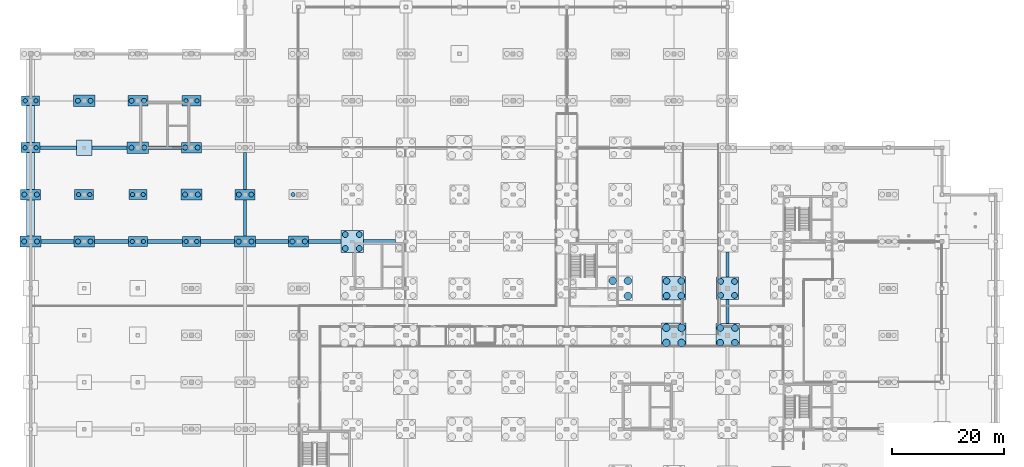
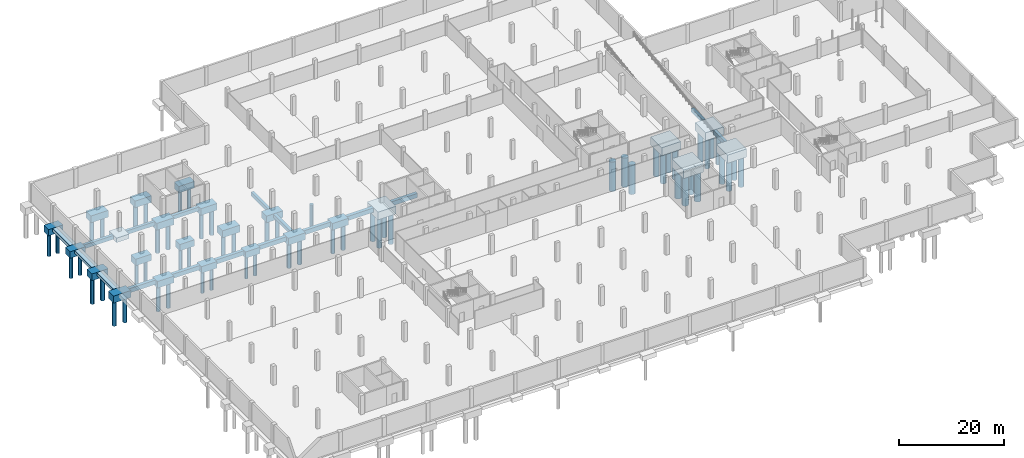
# One storey, part 5 of 26: 60 piles, 41 footings.
"""IFC4 building model written with IfcOpenShell, lengths in metres."""

from ifc_helpers import new_model, si_unit, direction, frame, origin, origin_2d, place, context, subcontext, project, spatial, rectangle, circle, extrude, material, layer, layer_set, material_profile, profile_set, type_object, element, save


model = new_model("IFC4")

# Units and contexts
model_context = context("Model", 3, precision=1e-05, world=origin(), true_north=direction((0.0, 1.0)))
body_context = subcontext(model_context, "Body", "Model", "MODEL_VIEW")
ifc_project = project(units=[si_unit("LENGTHUNIT", "METRE"), si_unit("AREAUNIT", "SQUARE_METRE"), si_unit("VOLUMEUNIT", "CUBIC_METRE"), si_unit("PLANEANGLEUNIT", "RADIAN"), si_unit("MASSUNIT", "GRAM", prefix="KILO")], contexts=[model_context])

# Site, building, storey
site_placement = place(None, origin())
site = spatial("IfcSite", under=ifc_project, at=site_placement, CompositionType="ELEMENT")
building_placement = place(site_placement, origin())
building = spatial("IfcBuilding", under=site, at=building_placement, Name="Lornevale Opera House", CompositionType="ELEMENT")
storey_placement = place(building_placement, frame((0.0, 0.0, -9.60009765625)))
storey = spatial("IfcBuildingStorey", under=building, at=storey_placement, Name="B2", CompositionType="ELEMENT", Elevation=-9.60009765625)

# Footings
ifc_material_1 = material(Name="Concrete 35 MPa (CSA A23.1 N)", Category="concrete")
ifc_layer_1 = layer(ifc_material_1, 1.800048828125)
ifc_layer_set_1 = layer_set([ifc_layer_1], Name="Concrete 35 MPa (CSA A23.1 N)")
footing_type_1 = type_object("IfcFootingType", Name="Four-Caisson Cap 4000x4000x1800", PredefinedType="PILE_CAP", material=ifc_layer_set_1)
for number, where, z_axis, x_axis, name in (
    (1, (57.60009765625, 67.199951171875, -2.259765625), (0.0, 0.0, 1.0), (1.0, 0.0, 0.0), "Four-Caisson Cap 4000x4000x1800 FT-091"),
    (2, (124.800048828125, 58.800048828125, -2.259765625), (0.0, 0.0, 1.0), (1.0, 0.0, 0.0), "Four-Caisson Cap 4000x4000x1800 FT-195"),
):
    element("IfcFooting", number, at=place(storey_placement, frame(where, z_axis=z_axis, x_axis=x_axis)), inside=storey, type_object=footing_type_1, Name=name, PredefinedType="PILE_CAP", context=body_context, shape_type="SweptSolid", body=[
        extrude(rectangle(XDim=4.0, YDim=4.0, at=origin_2d()), origin(), (0.0, 0.0, 1.0), 1.800048828125),
    ])
ifc_layer_2 = layer(ifc_material_1, 1.89990234375)
ifc_layer_set_2 = layer_set([ifc_layer_2], Name="Concrete 35 MPa (CSA A23.1 N)")
footing_type_2 = type_object("IfcFootingType", Name="Four-Caisson Cap 4200x4200x1900", PredefinedType="PILE_CAP", material=ifc_layer_set_2)
for number, where, z_axis, x_axis, name in (
    (3, (115.199951171875, 58.800048828125, -2.35986328125), (0.0, 0.0, 1.0), (1.0, 0.0, 0.0), "Four-Caisson Cap 4200x4200x1900 FT-180"),
    (4, (124.800048828125, 50.39990234375, -2.35986328125), (0.0, 0.0, 1.0), (1.0, 0.0, 0.0), "Four-Caisson Cap 4200x4200x1900 FT-194"),
):
    element("IfcFooting", number, at=place(storey_placement, frame(where, z_axis=z_axis, x_axis=x_axis)), inside=storey, type_object=footing_type_2, Name=name, PredefinedType="PILE_CAP", context=body_context, shape_type="SweptSolid", body=[
        extrude(rectangle(XDim=4.199951171875, YDim=4.199951171875, at=origin_2d()), origin(), (0.0, 0.0, 1.0), 1.89990234375),
    ])
ifc_layer_3 = layer(ifc_material_1, 2.0)
ifc_layer_set_3 = layer_set([ifc_layer_3], Name="Concrete 35 MPa (CSA A23.1 N)")
footing_type_3 = type_object("IfcFootingType", Name="Four-Caisson Cap 4400x4400x2000", PredefinedType="PILE_CAP", material=ifc_layer_set_3)
footing_1_placement = place(storey_placement, frame((115.199951171875, 50.39990234375, -2.4599609375), z_axis=(0.0, 0.0, 1.0), x_axis=(1.0, 0.0, 0.0)))
element("IfcFooting", 5, at=footing_1_placement, inside=storey, type_object=footing_type_3, Name="Four-Caisson Cap 4400x4400x2000 FT-179", PredefinedType="PILE_CAP", context=body_context, shape_type="SweptSolid", body=[
    extrude(rectangle(XDim=4.39990234375, YDim=4.39990234375, at=origin_2d()), origin(), (0.0, 0.0, 1.0), 2.0),
])
ifc_layer_4 = layer(ifc_material_1, 0.89990234375)
ifc_layer_set_4 = layer_set([ifc_layer_4], Name="Concrete 35 MPa (CSA A23.1 N)")
footing_type_4 = type_object("IfcFootingType", Name="Grade Tie Beam EW 600x900", PredefinedType="FOOTING_BEAM", material=ifc_layer_set_4)
footing_2_placement = place(storey_placement, frame((4.949951171875, 84.0, -1.35986328125), z_axis=(0.0, 0.0, 1.0), x_axis=(1.0, 0.0, 0.0)))
element("IfcFooting", 6, at=footing_2_placement, inside=storey, type_object=footing_type_4, Name="Grade Tie Beam EW 600x900 FT-252", PredefinedType="FOOTING_BEAM", context=body_context, shape_type="SweptSolid", body=[
    extrude(rectangle(XDim=6.5, YDim=0.60009765625, at=origin_2d()), origin(), (0.0, 0.0, 1.0), 0.89990234375),
])
footing_3_placement = place(storey_placement, frame((14.14990234375, 84.0, -1.35986328125), z_axis=(0.0, 0.0, 1.0), x_axis=(1.0, 0.0, 0.0)))
element("IfcFooting", 7, at=footing_3_placement, inside=storey, type_object=footing_type_4, Name="Grade Tie Beam EW 600x900 FT-256", PredefinedType="FOOTING_BEAM", context=body_context, shape_type="SweptSolid", body=[
    extrude(rectangle(XDim=6.300048828125, YDim=0.60009765625, at=origin_2d()), origin(), (0.0, 0.0, 1.0), 0.89990234375),
])
footing_4_placement = place(storey_placement, frame((24.050048828125, 84.0, -1.35986328125), z_axis=(0.0, 0.0, 1.0), x_axis=(1.0, 0.0, 0.0)))
element("IfcFooting", 8, at=footing_4_placement, inside=storey, type_object=footing_type_4, Name="Grade Tie Beam EW 600x900 FT-260", PredefinedType="FOOTING_BEAM", context=body_context, shape_type="SweptSolid", body=[
    extrude(rectangle(XDim=5.89990234375, YDim=0.60009765625, at=origin_2d()), origin(), (0.0, 0.0, 1.0), 0.89990234375),
])
ifc_layer_5 = layer(ifc_material_1, 1.0)
ifc_layer_set_5 = layer_set([ifc_layer_5], Name="Concrete 35 MPa (CSA A23.1 N)")
footing_type_5 = type_object("IfcFootingType", Name="Grade Tie Beam EW 700x1000", PredefinedType="FOOTING_BEAM", material=ifc_layer_set_5)
footing_5_placement = place(storey_placement, frame((4.85009765625, 67.199951171875, -1.4599609375), z_axis=(0.0, 0.0, 1.0), x_axis=(1.0, 0.0, 0.0)))
element("IfcFooting", 9, at=footing_5_placement, inside=storey, type_object=footing_type_5, Name="Grade Tie Beam EW 700x1000 FT-251", PredefinedType="FOOTING_BEAM", context=body_context, shape_type="SweptSolid", body=[
    extrude(rectangle(XDim=5.89990234375, YDim=0.699951171875, at=origin_2d()), origin(), (0.0, 0.0, 1.0), 1.0),
])
footing_6_placement = place(storey_placement, frame((14.449951171875, 67.199951171875, -1.4599609375), z_axis=(0.0, 0.0, 1.0), x_axis=(1.0, 0.0, 0.0)))
element("IfcFooting", 10, at=footing_6_placement, inside=storey, type_object=footing_type_5, Name="Grade Tie Beam EW 700x1000 FT-255", PredefinedType="FOOTING_BEAM", context=body_context, shape_type="SweptSolid", body=[
    extrude(rectangle(XDim=6.10009765625, YDim=0.699951171875, at=origin_2d()), origin(), (0.0, 0.0, 1.0), 1.0),
])
footing_7_placement = place(storey_placement, frame((24.050048828125, 67.199951171875, -1.4599609375), z_axis=(0.0, 0.0, 1.0), x_axis=(1.0, 0.0, 0.0)))
element("IfcFooting", 11, at=footing_7_placement, inside=storey, type_object=footing_type_5, Name="Grade Tie Beam EW 700x1000 FT-259", PredefinedType="FOOTING_BEAM", context=body_context, shape_type="SweptSolid", body=[
    extrude(rectangle(XDim=6.300048828125, YDim=0.699951171875, at=origin_2d()), origin(), (0.0, 0.0, 1.0), 1.0),
])
footing_8_placement = place(storey_placement, frame((33.449951171875, 67.199951171875, -1.4599609375), z_axis=(0.0, 0.0, 1.0), x_axis=(1.0, 0.0, 0.0)))
element("IfcFooting", 12, at=footing_8_placement, inside=storey, type_object=footing_type_5, Name="Grade Tie Beam EW 700x1000 FT-263", PredefinedType="FOOTING_BEAM", context=body_context, shape_type="SweptSolid", body=[
    extrude(rectangle(XDim=6.10009765625, YDim=0.699951171875, at=origin_2d()), origin(), (0.0, 0.0, 1.0), 1.0),
])
footing_9_placement = place(storey_placement, frame((43.25, 67.199951171875, -1.4599609375), z_axis=(0.0, 0.0, 1.0), x_axis=(1.0, 0.0, 0.0)))
element("IfcFooting", 13, at=footing_9_placement, inside=storey, type_object=footing_type_5, Name="Grade Tie Beam EW 700x1000 FT-267", PredefinedType="FOOTING_BEAM", context=body_context, shape_type="SweptSolid", body=[
    extrude(rectangle(XDim=5.89990234375, YDim=0.699951171875, at=origin_2d()), origin(), (0.0, 0.0, 1.0), 1.0),
])
footing_10_placement = place(storey_placement, frame((52.699951171875, 67.199951171875, -1.4599609375), z_axis=(0.0, 0.0, 1.0), x_axis=(1.0, 0.0, 0.0)))
element("IfcFooting", 14, at=footing_10_placement, inside=storey, type_object=footing_type_5, Name="Grade Tie Beam EW 700x1000 FT-272", PredefinedType="FOOTING_BEAM", context=body_context, shape_type="SweptSolid", body=[
    extrude(rectangle(XDim=5.800048828125, YDim=0.699951171875, at=origin_2d()), origin(), (0.0, 0.0, 1.0), 1.0),
])
footing_11_placement = place(storey_placement, frame((62.449951171875, 67.199951171875, -1.4599609375), z_axis=(0.0, 0.0, 1.0), x_axis=(1.0, 0.0, 0.0)))
element("IfcFooting", 15, at=footing_11_placement, inside=storey, type_object=footing_type_5, Name="Grade Tie Beam EW 700x1000 FT-277", PredefinedType="FOOTING_BEAM", context=body_context, shape_type="SweptSolid", body=[
    extrude(rectangle(XDim=5.699951171875, YDim=0.699951171875, at=origin_2d()), origin(), (0.0, 0.0, 1.0), 1.0),
])
ifc_layer_6 = layer(ifc_material_1, 0.89990234375)
ifc_layer_set_6 = layer_set([ifc_layer_6], Name="Concrete 35 MPa (CSA A23.1 N)")
footing_type_6 = type_object("IfcFootingType", Name="Grade Tie Beam NS 600x900", PredefinedType="FOOTING_BEAM", material=ifc_layer_set_6)
footing_12_placement = place(storey_placement, frame((38.39990234375, 71.425048828125, -1.35986328125), z_axis=(0.0, 0.0, 1.0), x_axis=(1.0, 0.0, 0.0)))
element("IfcFooting", 16, at=footing_12_placement, inside=storey, type_object=footing_type_6, Name="Grade Tie Beam NS 600x900 FT-344", PredefinedType="FOOTING_BEAM", context=body_context, shape_type="SweptSolid", body=[
    extrude(rectangle(XDim=0.60009765625, YDim=6.449951171875, at=origin_2d()), origin(), (0.0, 0.0, 1.0), 0.89990234375),
])
footing_13_placement = place(storey_placement, frame((38.39990234375, 79.824951171875, -1.35986328125), z_axis=(0.0, 0.0, 1.0), x_axis=(1.0, 0.0, 0.0)))
element("IfcFooting", 17, at=footing_13_placement, inside=storey, type_object=footing_type_6, Name="Grade Tie Beam NS 600x900 FT-345", PredefinedType="FOOTING_BEAM", context=body_context, shape_type="SweptSolid", body=[
    extrude(rectangle(XDim=0.60009765625, YDim=6.550048828125, at=origin_2d()), origin(), (0.0, 0.0, 1.0), 0.89990234375),
])
footing_14_placement = place(storey_placement, frame((124.800048828125, 54.64990234375, -1.35986328125), z_axis=(0.0, 0.0, 1.0), x_axis=(1.0, 0.0, 0.0)))
element("IfcFooting", 18, at=footing_14_placement, inside=storey, type_object=footing_type_6, Name="Grade Tie Beam NS 600x900 FT-384", PredefinedType="FOOTING_BEAM", context=body_context, shape_type="SweptSolid", body=[
    extrude(rectangle(XDim=0.60009765625, YDim=4.300048828125, at=origin_2d()), origin(), (0.0, 0.0, 1.0), 0.89990234375),
])
footing_15_placement = place(storey_placement, frame((124.800048828125, 63.050048828125, -1.35986328125), z_axis=(0.0, 0.0, 1.0), x_axis=(1.0, 0.0, 0.0)))
element("IfcFooting", 19, at=footing_15_placement, inside=storey, type_object=footing_type_6, Name="Grade Tie Beam NS 600x900 FT-385", PredefinedType="FOOTING_BEAM", context=body_context, shape_type="SweptSolid", body=[
    extrude(rectangle(XDim=0.60009765625, YDim=4.5, at=origin_2d()), origin(), (0.0, 0.0, 1.0), 0.89990234375),
])
ifc_layer_7 = layer(ifc_material_1, 0.75)
ifc_layer_set_7 = layer_set([ifc_layer_7], Name="Concrete 35 MPa (CSA A23.1 N)")
footing_type_7 = type_object("IfcFootingType", Name="Perimeter Strip Footing NS 1400x750", PredefinedType="STRIP_FOOTING", material=ifc_layer_set_7)
footing_16_placement = place(storey_placement, frame((0.0, 71.425048828125, -1.2099609375), z_axis=(0.0, 0.0, 1.0), x_axis=(1.0, 0.0, 0.0)))
element("IfcFooting", 20, at=footing_16_placement, inside=storey, type_object=footing_type_7, Name="Perimeter Strip Footing NS 1400x750 FT-332", PredefinedType="STRIP_FOOTING", context=body_context, shape_type="SweptSolid", body=[
    extrude(rectangle(XDim=1.39990234375, YDim=6.449951171875, at=origin_2d()), origin(), (0.0, 0.0, 1.0), 0.75),
])
footing_17_placement = place(storey_placement, frame((0.0, 79.824951171875, -1.2099609375), z_axis=(0.0, 0.0, 1.0), x_axis=(1.0, 0.0, 0.0)))
element("IfcFooting", 21, at=footing_17_placement, inside=storey, type_object=footing_type_7, Name="Perimeter Strip Footing NS 1400x750 FT-333", PredefinedType="STRIP_FOOTING", context=body_context, shape_type="SweptSolid", body=[
    extrude(rectangle(XDim=1.39990234375, YDim=6.550048828125, at=origin_2d()), origin(), (0.0, 0.0, 1.0), 0.75),
])
footing_18_placement = place(storey_placement, frame((0.0, 88.21240234375, -1.2099609375), z_axis=(0.0, 0.0, 1.0), x_axis=(1.0, 0.0, 0.0)))
element("IfcFooting", 22, at=footing_18_placement, inside=storey, type_object=footing_type_7, Name="Perimeter Strip Footing NS 1400x750 FT-334", PredefinedType="STRIP_FOOTING", context=body_context, shape_type="SweptSolid", body=[
    extrude(rectangle(XDim=1.39990234375, YDim=6.625, at=origin_2d()), origin(), (0.0, 0.0, 1.0), 0.75),
])

# Piles
ifc_material_2 = material(Name="Concrete 40 MPa (CSA A23.1 C-1)", Category="concrete")
ifc_material_profile_1 = material_profile(ifc_material_2, circle(Radius=0.52490234375, at=origin_2d()), Name="CAIS1050")
ifc_profile_set_1 = profile_set([ifc_material_profile_1], Name="Concrete 40 MPa (CSA A23.1 C-1)")
pile_type_1 = type_object("IfcPileType", Name="Rock-Socketed Caisson D1050", PredefinedType="BORED", material=ifc_profile_set_1)
for number, where, z_axis, x_axis, name in (
    (23, (56.35009765625, 65.949951171875, -2.139892578125), (0.0, 0.0, -1.0), (1.0, 0.0, 0.0), "Rock-Socketed Caisson D1050 0156"),
    (24, (58.85009765625, 65.949951171875, -2.139892578125), (0.0, 0.0, -1.0), (1.0, 0.0, 0.0), "Rock-Socketed Caisson D1050 0157"),
    (25, (56.35009765625, 68.449951171875, -2.139892578125), (0.0, 0.0, -1.0), (1.0, 0.0, 0.0), "Rock-Socketed Caisson D1050 0158"),
    (26, (58.85009765625, 68.449951171875, -2.139892578125), (0.0, 0.0, -1.0), (1.0, 0.0, 0.0), "Rock-Socketed Caisson D1050 0159"),
    (27, (123.550048828125, 57.550048828125, -2.139892578125), (0.0, 0.0, -1.0), (1.0, 0.0, 0.0), "Rock-Socketed Caisson D1050 0426"),
    (28, (126.050048828125, 57.550048828125, -2.139892578125), (0.0, 0.0, -1.0), (1.0, 0.0, 0.0), "Rock-Socketed Caisson D1050 0427"),
    (29, (123.550048828125, 60.050048828125, -2.139892578125), (0.0, 0.0, -1.0), (1.0, 0.0, 0.0), "Rock-Socketed Caisson D1050 0428"),
    (30, (126.050048828125, 60.050048828125, -2.139892578125), (0.0, 0.0, -1.0), (1.0, 0.0, 0.0), "Rock-Socketed Caisson D1050 0429"),
):
    element("IfcPile", number, at=place(storey_placement, frame(where, z_axis=z_axis, x_axis=x_axis)), inside=storey, type_object=pile_type_1, Name=name, PredefinedType="BORED", context=body_context, shape_type="SweptSolid", body=[
        extrude(circle(Radius=0.52490234375, at=origin_2d()), origin(), (0.0, 0.0, 1.0), 7.06005859375),
    ])
ifc_material_profile_2 = material_profile(ifc_material_2, circle(Radius=0.60009765625, at=origin_2d()), Name="CAIS1200")
ifc_profile_set_2 = profile_set([ifc_material_profile_2], Name="Concrete 40 MPa (CSA A23.1 C-1)")
pile_type_2 = type_object("IfcPileType", Name="Rock-Socketed Caisson D1200", PredefinedType="BORED", material=ifc_profile_set_2)
for number, where, z_axis, x_axis, name in (
    (31, (113.8798828125, 57.47998046875, -2.239990234375), (0.0, 0.0, -1.0), (1.0, 0.0, 0.0), "Rock-Socketed Caisson D1200 0387"),
    (32, (116.52001953125, 57.47998046875, -2.239990234375), (0.0, 0.0, -1.0), (1.0, 0.0, 0.0), "Rock-Socketed Caisson D1200 0388"),
    (33, (113.8798828125, 60.1201171875, -2.239990234375), (0.0, 0.0, -1.0), (1.0, 0.0, 0.0), "Rock-Socketed Caisson D1200 0389"),
    (34, (116.52001953125, 60.1201171875, -2.239990234375), (0.0, 0.0, -1.0), (1.0, 0.0, 0.0), "Rock-Socketed Caisson D1200 0390"),
    (35, (123.47998046875, 49.080078125, -2.239990234375), (0.0, 0.0, -1.0), (1.0, 0.0, 0.0), "Rock-Socketed Caisson D1200 0422"),
    (36, (126.1201171875, 49.080078125, -2.239990234375), (0.0, 0.0, -1.0), (1.0, 0.0, 0.0), "Rock-Socketed Caisson D1200 0423"),
    (37, (123.47998046875, 51.719970703125, -2.239990234375), (0.0, 0.0, -1.0), (1.0, 0.0, 0.0), "Rock-Socketed Caisson D1200 0424"),
    (38, (126.1201171875, 51.719970703125, -2.239990234375), (0.0, 0.0, -1.0), (1.0, 0.0, 0.0), "Rock-Socketed Caisson D1200 0425"),
):
    element("IfcPile", number, at=place(storey_placement, frame(where, z_axis=z_axis, x_axis=x_axis)), inside=storey, type_object=pile_type_2, Name=name, PredefinedType="BORED", context=body_context, shape_type="SweptSolid", body=[
        extrude(circle(Radius=0.60009765625, at=origin_2d()), origin(), (0.0, 0.0, 1.0), 6.9599609375),
    ])
ifc_material_profile_3 = material_profile(ifc_material_2, circle(Radius=0.675048828125, at=origin_2d()), Name="CAIS1350")
ifc_profile_set_3 = profile_set([ifc_material_profile_3], Name="Concrete 40 MPa (CSA A23.1 C-1)")
pile_type_3 = type_object("IfcPileType", Name="Rock-Socketed Caisson D1350", PredefinedType="BORED", material=ifc_profile_set_3)
for number, where, z_axis, x_axis, name in (
    (39, (106.9599609375, 57.43994140625, -2.33984375), (0.0, 0.0, -1.0), (1.0, 0.0, 0.0), "Rock-Socketed Caisson D1350 0348"),
    (40, (104.239990234375, 60.159912109375, -2.33984375), (0.0, 0.0, -1.0), (1.0, 0.0, 0.0), "Rock-Socketed Caisson D1350 0349"),
    (41, (106.9599609375, 60.159912109375, -2.33984375), (0.0, 0.0, -1.0), (1.0, 0.0, 0.0), "Rock-Socketed Caisson D1350 0350"),
    (42, (113.840087890625, 49.0400390625, -2.33984375), (0.0, 0.0, -1.0), (1.0, 0.0, 0.0), "Rock-Socketed Caisson D1350 0383"),
    (43, (116.56005859375, 49.0400390625, -2.33984375), (0.0, 0.0, -1.0), (1.0, 0.0, 0.0), "Rock-Socketed Caisson D1350 0384"),
    (44, (113.840087890625, 51.760009765625, -2.33984375), (0.0, 0.0, -1.0), (1.0, 0.0, 0.0), "Rock-Socketed Caisson D1350 0385"),
    (45, (116.56005859375, 51.760009765625, -2.33984375), (0.0, 0.0, -1.0), (1.0, 0.0, 0.0), "Rock-Socketed Caisson D1350 0386"),
):
    element("IfcPile", number, at=place(storey_placement, frame(where, z_axis=z_axis, x_axis=x_axis)), inside=storey, type_object=pile_type_3, Name=name, PredefinedType="BORED", context=body_context, shape_type="SweptSolid", body=[
        extrude(circle(Radius=0.675048828125, at=origin_2d()), origin(), (0.0, 0.0, 1.0), 6.860107421875),
    ])
ifc_material_profile_4 = material_profile(ifc_material_2, circle(Radius=0.375, at=origin_2d()), Name="CAIS750")
ifc_profile_set_4 = profile_set([ifc_material_profile_4], Name="Concrete 40 MPa (CSA A23.1 C-1)")
pile_type_4 = type_object("IfcPileType", Name="Rock-Socketed Caisson D750", PredefinedType="BORED", material=ifc_profile_set_4)
for number, where, z_axis, x_axis, name in (
    (46, (-1.0, 84.0, -1.83984375), (0.0, 0.0, -1.0), (1.0, 0.0, 0.0), "Rock-Socketed Caisson D750 0015"),
    (47, (1.0, 84.0, -1.83984375), (0.0, 0.0, -1.0), (1.0, 0.0, 0.0), "Rock-Socketed Caisson D750 0016"),
):
    element("IfcPile", number, at=place(storey_placement, frame(where, z_axis=z_axis, x_axis=x_axis)), inside=storey, type_object=pile_type_4, Name=name, PredefinedType="BORED", context=body_context, shape_type="SweptSolid", body=[
        extrude(circle(Radius=0.375, at=origin_2d()), origin(), (0.0, 0.0, 1.0), 5.360107421875),
    ])
for number, where, z_axis, x_axis, name in (
    (48, (-0.9599609375, 92.39990234375, -1.789794921875), (0.0, 0.0, -1.0), (1.0, 0.0, 0.0), "Rock-Socketed Caisson D750 0017"),
    (49, (0.9599609375, 92.39990234375, -1.789794921875), (0.0, 0.0, -1.0), (1.0, 0.0, 0.0), "Rock-Socketed Caisson D750 0018"),
):
    element("IfcPile", number, at=place(storey_placement, frame(where, z_axis=z_axis, x_axis=x_axis)), inside=storey, type_object=pile_type_4, Name=name, PredefinedType="BORED", context=body_context, shape_type="SweptSolid", body=[
        extrude(circle(Radius=0.375, at=origin_2d()), origin(), (0.0, 0.0, 1.0), 5.409912109375),
    ])
for number, where, z_axis, x_axis, name in (
    (50, (8.60009765625, 75.60009765625, -1.83984375), (0.0, 0.0, -1.0), (1.0, 0.0, 0.0), "Rock-Socketed Caisson D750 0032"),
    (51, (10.60009765625, 75.60009765625, -1.83984375), (0.0, 0.0, -1.0), (1.0, 0.0, 0.0), "Rock-Socketed Caisson D750 0033"),
    (52, (18.199951171875, 67.199951171875, -1.83984375), (0.0, 0.0, -1.0), (1.0, 0.0, 0.0), "Rock-Socketed Caisson D750 0048"),
    (53, (20.199951171875, 67.199951171875, -1.83984375), (0.0, 0.0, -1.0), (1.0, 0.0, 0.0), "Rock-Socketed Caisson D750 0049"),
):
    element("IfcPile", number, at=place(storey_placement, frame(where, z_axis=z_axis, x_axis=x_axis)), inside=storey, type_object=pile_type_4, Name=name, PredefinedType="BORED", context=body_context, shape_type="SweptSolid", body=[
        extrude(circle(Radius=0.375, at=origin_2d()), origin(), (0.0, 0.0, 1.0), 5.360107421875),
    ])
for number, where, z_axis, x_axis, name in (
    (54, (18.239990234375, 75.60009765625, -1.789794921875), (0.0, 0.0, -1.0), (1.0, 0.0, 0.0), "Rock-Socketed Caisson D750 0050"),
    (55, (20.159912109375, 75.60009765625, -1.789794921875), (0.0, 0.0, -1.0), (1.0, 0.0, 0.0), "Rock-Socketed Caisson D750 0051"),
    (56, (27.840087890625, 67.199951171875, -1.789794921875), (0.0, 0.0, -1.0), (1.0, 0.0, 0.0), "Rock-Socketed Caisson D750 0074"),
    (57, (29.760009765625, 67.199951171875, -1.789794921875), (0.0, 0.0, -1.0), (1.0, 0.0, 0.0), "Rock-Socketed Caisson D750 0075"),
):
    element("IfcPile", number, at=place(storey_placement, frame(where, z_axis=z_axis, x_axis=x_axis)), inside=storey, type_object=pile_type_4, Name=name, PredefinedType="BORED", context=body_context, shape_type="SweptSolid", body=[
        extrude(circle(Radius=0.375, at=origin_2d()), origin(), (0.0, 0.0, 1.0), 5.409912109375),
    ])
for number, where, z_axis, x_axis, name in (
    (58, (27.800048828125, 92.39990234375, -1.83984375), (0.0, 0.0, -1.0), (1.0, 0.0, 0.0), "Rock-Socketed Caisson D750 0080"),
    (59, (29.800048828125, 92.39990234375, -1.83984375), (0.0, 0.0, -1.0), (1.0, 0.0, 0.0), "Rock-Socketed Caisson D750 0081"),
    (60, (47.0, 75.60009765625, -1.83984375), (0.0, 0.0, -1.0), (1.0, 0.0, 0.0), "Rock-Socketed Caisson D750 0126"),
):
    element("IfcPile", number, at=place(storey_placement, frame(where, z_axis=z_axis, x_axis=x_axis)), inside=storey, type_object=pile_type_4, Name=name, PredefinedType="BORED", context=body_context, shape_type="SweptSolid", body=[
        extrude(circle(Radius=0.375, at=origin_2d()), origin(), (0.0, 0.0, 1.0), 5.360107421875),
    ])
ifc_material_profile_5 = material_profile(ifc_material_2, circle(Radius=0.449951171875, at=origin_2d()), Name="CAIS900")
ifc_profile_set_5 = profile_set([ifc_material_profile_5], Name="Concrete 40 MPa (CSA A23.1 C-1)")
pile_type_5 = type_object("IfcPileType", Name="Rock-Socketed Caisson D900", PredefinedType="BORED", material=ifc_profile_set_5)
for number, where, z_axis, x_axis, name in (
    (61, (-1.14990234375, 67.199951171875, -1.93994140625), (0.0, 0.0, -1.0), (1.0, 0.0, 0.0), "Rock-Socketed Caisson D900 0011"),
    (62, (1.14990234375, 67.199951171875, -1.93994140625), (0.0, 0.0, -1.0), (1.0, 0.0, 0.0), "Rock-Socketed Caisson D900 0012"),
):
    element("IfcPile", number, at=place(storey_placement, frame(where, z_axis=z_axis, x_axis=x_axis)), inside=storey, type_object=pile_type_5, Name=name, PredefinedType="BORED", context=body_context, shape_type="SweptSolid", body=[
        extrude(circle(Radius=0.449951171875, at=origin_2d()), origin(), (0.0, 0.0, 1.0), 6.06005859375),
    ])
for number, where, z_axis, x_axis, name in (
    (63, (-1.1201171875, 75.60009765625, -1.889892578125), (0.0, 0.0, -1.0), (1.0, 0.0, 0.0), "Rock-Socketed Caisson D900 0013"),
    (64, (1.1201171875, 75.60009765625, -1.889892578125), (0.0, 0.0, -1.0), (1.0, 0.0, 0.0), "Rock-Socketed Caisson D900 0014"),
    (65, (8.47998046875, 67.199951171875, -1.889892578125), (0.0, 0.0, -1.0), (1.0, 0.0, 0.0), "Rock-Socketed Caisson D900 0030"),
    (66, (10.719970703125, 67.199951171875, -1.889892578125), (0.0, 0.0, -1.0), (1.0, 0.0, 0.0), "Rock-Socketed Caisson D900 0031"),
):
    element("IfcPile", number, at=place(storey_placement, frame(where, z_axis=z_axis, x_axis=x_axis)), inside=storey, type_object=pile_type_5, Name=name, PredefinedType="BORED", context=body_context, shape_type="SweptSolid", body=[
        extrude(circle(Radius=0.449951171875, at=origin_2d()), origin(), (0.0, 0.0, 1.0), 6.110107421875),
    ])
for number, where, z_axis, x_axis, name in (
    (67, (8.449951171875, 92.39990234375, -1.93994140625), (0.0, 0.0, -1.0), (1.0, 0.0, 0.0), "Rock-Socketed Caisson D900 0034"),
    (68, (10.75, 92.39990234375, -1.93994140625), (0.0, 0.0, -1.0), (1.0, 0.0, 0.0), "Rock-Socketed Caisson D900 0035"),
    (69, (18.050048828125, 84.0, -1.93994140625), (0.0, 0.0, -1.0), (1.0, 0.0, 0.0), "Rock-Socketed Caisson D900 0052"),
    (70, (20.35009765625, 84.0, -1.93994140625), (0.0, 0.0, -1.0), (1.0, 0.0, 0.0), "Rock-Socketed Caisson D900 0053"),
):
    element("IfcPile", number, at=place(storey_placement, frame(where, z_axis=z_axis, x_axis=x_axis)), inside=storey, type_object=pile_type_5, Name=name, PredefinedType="BORED", context=body_context, shape_type="SweptSolid", body=[
        extrude(circle(Radius=0.449951171875, at=origin_2d()), origin(), (0.0, 0.0, 1.0), 6.06005859375),
    ])
for number, where, z_axis, x_axis, name in (
    (71, (18.080078125, 92.39990234375, -1.889892578125), (0.0, 0.0, -1.0), (1.0, 0.0, 0.0), "Rock-Socketed Caisson D900 0054"),
    (72, (20.320068359375, 92.39990234375, -1.889892578125), (0.0, 0.0, -1.0), (1.0, 0.0, 0.0), "Rock-Socketed Caisson D900 0055"),
):
    element("IfcPile", number, at=place(storey_placement, frame(where, z_axis=z_axis, x_axis=x_axis)), inside=storey, type_object=pile_type_5, Name=name, PredefinedType="BORED", context=body_context, shape_type="SweptSolid", body=[
        extrude(circle(Radius=0.449951171875, at=origin_2d()), origin(), (0.0, 0.0, 1.0), 6.110107421875),
    ])
for number, where, z_axis, x_axis, name in (
    (73, (27.64990234375, 75.60009765625, -1.93994140625), (0.0, 0.0, -1.0), (1.0, 0.0, 0.0), "Rock-Socketed Caisson D900 0076"),
    (74, (29.949951171875, 75.60009765625, -1.93994140625), (0.0, 0.0, -1.0), (1.0, 0.0, 0.0), "Rock-Socketed Caisson D900 0077"),
):
    element("IfcPile", number, at=place(storey_placement, frame(where, z_axis=z_axis, x_axis=x_axis)), inside=storey, type_object=pile_type_5, Name=name, PredefinedType="BORED", context=body_context, shape_type="SweptSolid", body=[
        extrude(circle(Radius=0.449951171875, at=origin_2d()), origin(), (0.0, 0.0, 1.0), 6.06005859375),
    ])
for number, where, z_axis, x_axis, name in (
    (75, (27.679931640625, 84.0, -1.889892578125), (0.0, 0.0, -1.0), (1.0, 0.0, 0.0), "Rock-Socketed Caisson D900 0078"),
    (76, (29.919921875, 84.0, -1.889892578125), (0.0, 0.0, -1.0), (1.0, 0.0, 0.0), "Rock-Socketed Caisson D900 0079"),
):
    element("IfcPile", number, at=place(storey_placement, frame(where, z_axis=z_axis, x_axis=x_axis)), inside=storey, type_object=pile_type_5, Name=name, PredefinedType="BORED", context=body_context, shape_type="SweptSolid", body=[
        extrude(circle(Radius=0.449951171875, at=origin_2d()), origin(), (0.0, 0.0, 1.0), 6.110107421875),
    ])
for number, where, z_axis, x_axis, name in (
    (77, (37.25, 67.199951171875, -1.93994140625), (0.0, 0.0, -1.0), (1.0, 0.0, 0.0), "Rock-Socketed Caisson D900 0100"),
    (78, (39.550048828125, 67.199951171875, -1.93994140625), (0.0, 0.0, -1.0), (1.0, 0.0, 0.0), "Rock-Socketed Caisson D900 0101"),
):
    element("IfcPile", number, at=place(storey_placement, frame(where, z_axis=z_axis, x_axis=x_axis)), inside=storey, type_object=pile_type_5, Name=name, PredefinedType="BORED", context=body_context, shape_type="SweptSolid", body=[
        extrude(circle(Radius=0.449951171875, at=origin_2d()), origin(), (0.0, 0.0, 1.0), 6.06005859375),
    ])
for number, where, z_axis, x_axis, name in (
    (79, (37.280029296875, 75.60009765625, -1.889892578125), (0.0, 0.0, -1.0), (1.0, 0.0, 0.0), "Rock-Socketed Caisson D900 0102"),
    (80, (39.52001953125, 75.60009765625, -1.889892578125), (0.0, 0.0, -1.0), (1.0, 0.0, 0.0), "Rock-Socketed Caisson D900 0103"),
    (81, (46.8798828125, 67.199951171875, -1.889892578125), (0.0, 0.0, -1.0), (1.0, 0.0, 0.0), "Rock-Socketed Caisson D900 0124"),
    (82, (49.1201171875, 67.199951171875, -1.889892578125), (0.0, 0.0, -1.0), (1.0, 0.0, 0.0), "Rock-Socketed Caisson D900 0125"),
):
    element("IfcPile", number, at=place(storey_placement, frame(where, z_axis=z_axis, x_axis=x_axis)), inside=storey, type_object=pile_type_5, Name=name, PredefinedType="BORED", context=body_context, shape_type="SweptSolid", body=[
        extrude(circle(Radius=0.449951171875, at=origin_2d()), origin(), (0.0, 0.0, 1.0), 6.110107421875),
    ])

# Footings
ifc_layer_8 = layer(ifc_material_1, 1.050048828125)
ifc_layer_set_8 = layer_set([ifc_layer_8], Name="Concrete 35 MPa (CSA A23.1 N)")
footing_type_8 = type_object("IfcFootingType", Name="Spread Pad Footing 2800x2800x1050", PredefinedType="PAD_FOOTING", material=ifc_layer_set_8)
footing_19_placement = place(storey_placement, frame((9.60009765625, 84.0, -1.509765625), z_axis=(0.0, 0.0, 1.0), x_axis=(1.0, 0.0, 0.0)))
element("IfcFooting", 83, at=footing_19_placement, inside=storey, type_object=footing_type_8, Name="Spread Pad Footing 2800x2800x1050 FT-024", PredefinedType="PAD_FOOTING", context=body_context, shape_type="SweptSolid", body=[
    extrude(rectangle(XDim=2.800048828125, YDim=2.800048828125, at=origin_2d()), origin(), (0.0, 0.0, 1.0), 1.050048828125),
])
ifc_layer_9 = layer(ifc_material_1, 1.449951171875)
ifc_layer_set_9 = layer_set([ifc_layer_9], Name="Concrete 35 MPa (CSA A23.1 N)")
footing_type_9 = type_object("IfcFootingType", Name="Two-Caisson Cap 3200x1750x1450", PredefinedType="PILE_CAP", material=ifc_layer_set_9)
for number, where, z_axis, x_axis, name in (
    (84, (0.0, 92.39990234375, -1.90966796875), (0.0, 0.0, 1.0), (1.0, 0.0, 0.0), "Two-Caisson Cap 3200x1750x1450 FT-012"),
    (85, (19.199951171875, 75.60009765625, -1.90966796875), (0.0, 0.0, 1.0), (1.0, 0.0, 0.0), "Two-Caisson Cap 3200x1750x1450 FT-036"),
    (86, (28.800048828125, 67.199951171875, -1.90966796875), (0.0, 0.0, 1.0), (1.0, 0.0, 0.0), "Two-Caisson Cap 3200x1750x1450 FT-048"),
):
    element("IfcFooting", number, at=place(storey_placement, frame(where, z_axis=z_axis, x_axis=x_axis)), inside=storey, type_object=footing_type_9, Name=name, PredefinedType="PILE_CAP", context=body_context, shape_type="SweptSolid", body=[
        extrude(rectangle(XDim=3.199951171875, YDim=1.75, at=origin_2d()), origin(), (0.0, 0.0, 1.0), 1.449951171875),
    ])
ifc_layer_10 = layer(ifc_material_1, 1.5)
ifc_layer_set_10 = layer_set([ifc_layer_10], Name="Concrete 35 MPa (CSA A23.1 N)")
footing_type_10 = type_object("IfcFootingType", Name="Two-Caisson Cap 3400x1800x1500", PredefinedType="PILE_CAP", material=ifc_layer_set_10)
for number, where, z_axis, x_axis, name in (
    (87, (0.0, 84.0, -1.9599609375), (0.0, 0.0, 1.0), (1.0, 0.0, 0.0), "Two-Caisson Cap 3400x1800x1500 FT-011"),
    (88, (9.60009765625, 75.60009765625, -1.9599609375), (0.0, 0.0, 1.0), (1.0, 0.0, 0.0), "Two-Caisson Cap 3400x1800x1500 FT-023"),
    (89, (19.199951171875, 67.199951171875, -1.9599609375), (0.0, 0.0, 1.0), (1.0, 0.0, 0.0), "Two-Caisson Cap 3400x1800x1500 FT-035"),
    (90, (28.800048828125, 92.39990234375, -1.9599609375), (0.0, 0.0, 1.0), (1.0, 0.0, 0.0), "Two-Caisson Cap 3400x1800x1500 FT-051"),
):
    element("IfcFooting", number, at=place(storey_placement, frame(where, z_axis=z_axis, x_axis=x_axis)), inside=storey, type_object=footing_type_10, Name=name, PredefinedType="PILE_CAP", context=body_context, shape_type="SweptSolid", body=[
        extrude(rectangle(XDim=3.39990234375, YDim=1.800048828125, at=origin_2d()), origin(), (0.0, 0.0, 1.0), 1.5),
    ])
ifc_layer_11 = layer(ifc_material_1, 1.550048828125)
ifc_layer_set_11 = layer_set([ifc_layer_11], Name="Concrete 35 MPa (CSA A23.1 N)")
footing_type_11 = type_object("IfcFootingType", Name="Two-Caisson Cap 3600x1900x1550", PredefinedType="PILE_CAP", material=ifc_layer_set_11)
for number, where, z_axis, x_axis, name in (
    (91, (0.0, 75.60009765625, -2.009765625), (0.0, 0.0, 1.0), (1.0, 0.0, 0.0), "Two-Caisson Cap 3600x1900x1550 FT-010"),
    (92, (9.60009765625, 67.199951171875, -2.009765625), (0.0, 0.0, 1.0), (1.0, 0.0, 0.0), "Two-Caisson Cap 3600x1900x1550 FT-022"),
    (93, (19.199951171875, 92.39990234375, -2.009765625), (0.0, 0.0, 1.0), (1.0, 0.0, 0.0), "Two-Caisson Cap 3600x1900x1550 FT-038"),
    (94, (28.800048828125, 84.0, -2.009765625), (0.0, 0.0, 1.0), (1.0, 0.0, 0.0), "Two-Caisson Cap 3600x1900x1550 FT-050"),
    (95, (38.39990234375, 75.60009765625, -2.009765625), (0.0, 0.0, 1.0), (1.0, 0.0, 0.0), "Two-Caisson Cap 3600x1900x1550 FT-062"),
    (96, (48.0, 67.199951171875, -2.009765625), (0.0, 0.0, 1.0), (1.0, 0.0, 0.0), "Two-Caisson Cap 3600x1900x1550 FT-076"),
):
    element("IfcFooting", number, at=place(storey_placement, frame(where, z_axis=z_axis, x_axis=x_axis)), inside=storey, type_object=footing_type_11, Name=name, PredefinedType="PILE_CAP", context=body_context, shape_type="SweptSolid", body=[
        extrude(rectangle(XDim=3.60009765625, YDim=1.89990234375, at=origin_2d()), origin(), (0.0, 0.0, 1.0), 1.550048828125),
    ])
ifc_layer_12 = layer(ifc_material_1, 1.60009765625)
ifc_layer_set_12 = layer_set([ifc_layer_12], Name="Concrete 35 MPa (CSA A23.1 N)")
footing_type_12 = type_object("IfcFootingType", Name="Two-Caisson Cap 3800x2000x1600", PredefinedType="PILE_CAP", material=ifc_layer_set_12)
for number, where, z_axis, x_axis, name in (
    (97, (0.0, 67.199951171875, -2.06005859375), (0.0, 0.0, 1.0), (1.0, 0.0, 0.0), "Two-Caisson Cap 3800x2000x1600 FT-009"),
    (98, (9.60009765625, 92.39990234375, -2.06005859375), (0.0, 0.0, 1.0), (1.0, 0.0, 0.0), "Two-Caisson Cap 3800x2000x1600 FT-025"),
    (99, (19.199951171875, 84.0, -2.06005859375), (0.0, 0.0, 1.0), (1.0, 0.0, 0.0), "Two-Caisson Cap 3800x2000x1600 FT-037"),
    (100, (28.800048828125, 75.60009765625, -2.06005859375), (0.0, 0.0, 1.0), (1.0, 0.0, 0.0), "Two-Caisson Cap 3800x2000x1600 FT-049"),
    (101, (38.39990234375, 67.199951171875, -2.06005859375), (0.0, 0.0, 1.0), (1.0, 0.0, 0.0), "Two-Caisson Cap 3800x2000x1600 FT-061"),
):
    element("IfcFooting", number, at=place(storey_placement, frame(where, z_axis=z_axis, x_axis=x_axis)), inside=storey, type_object=footing_type_12, Name=name, PredefinedType="PILE_CAP", context=body_context, shape_type="SweptSolid", body=[
        extrude(rectangle(XDim=3.800048828125, YDim=2.0, at=origin_2d()), origin(), (0.0, 0.0, 1.0), 1.60009765625),
    ])

save(model, "model.ifc")
